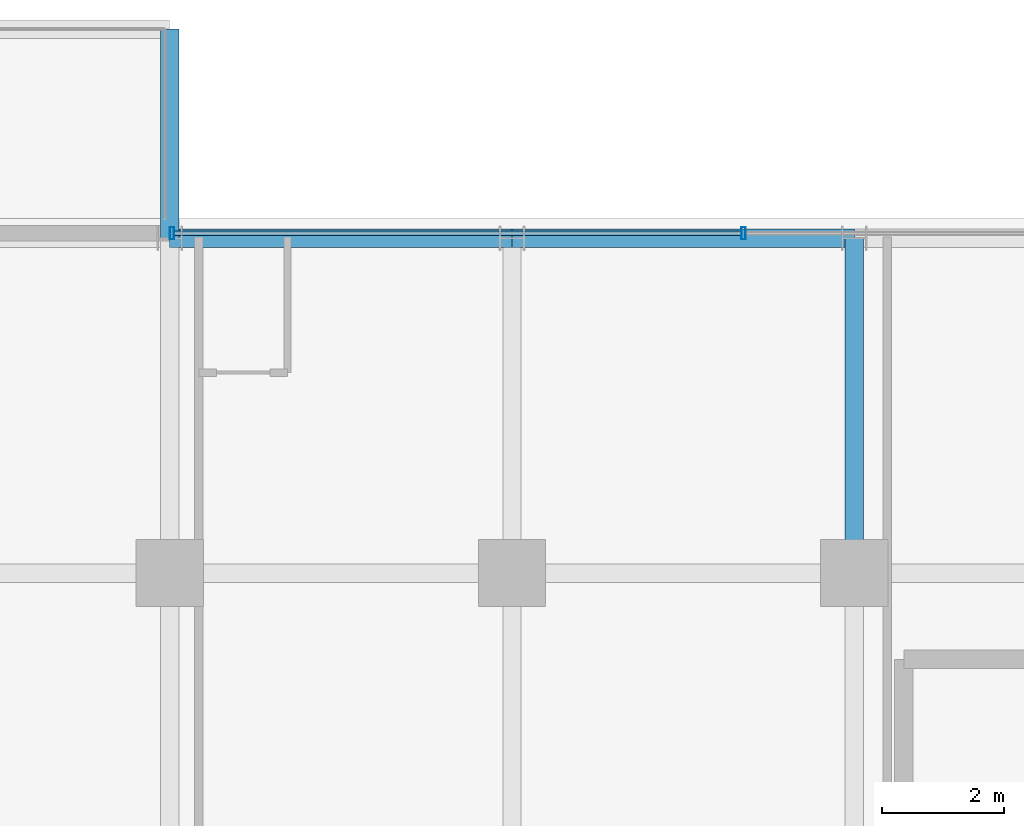
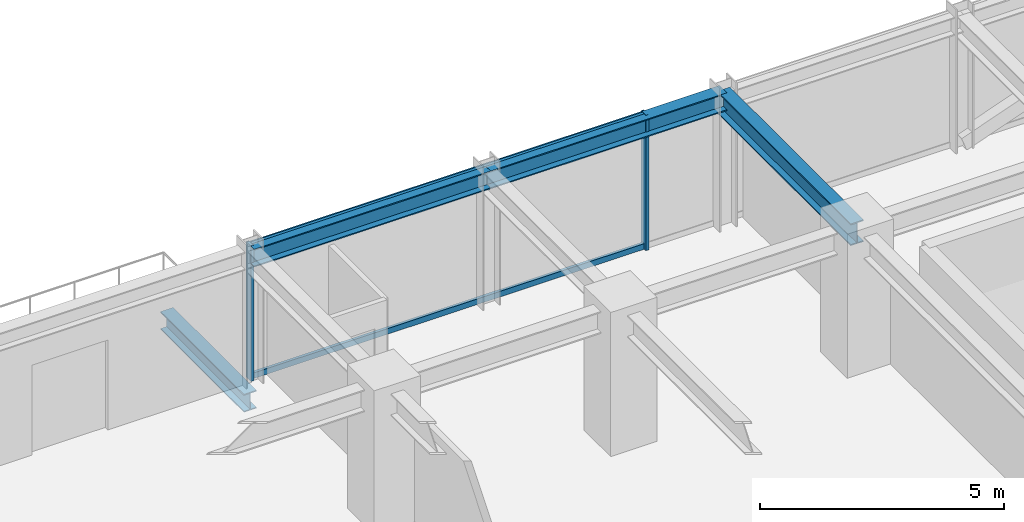
# One storey, part 25 of 37: 4 beams, 4 members, 1 element without a shape of its own.
"""IFC4 building model written with IfcOpenShell, lengths in metres."""

from ifc_helpers import new_model, si_unit, direction, frame, origin, origin_2d, place, context, subcontext, project, spatial, hollow_rectangle, i_section, extrude, source, transform, mapped, material, material_profile, profile_set, type_object, element, aggregate, save


model = new_model("IFC4")

# Units and contexts
model_context = context("Model", 3, precision=1e-05, world=origin(), true_north=direction((0.0, 1.0)))
body_context = subcontext(model_context, "Body", "Model", "MODEL_VIEW")
ifc_project = project(units=[si_unit("LENGTHUNIT", "METRE"), si_unit("AREAUNIT", "SQUARE_METRE"), si_unit("VOLUMEUNIT", "CUBIC_METRE"), si_unit("PLANEANGLEUNIT", "RADIAN"), si_unit("MASSUNIT", "GRAM", prefix="KILO")], contexts=[model_context])

# Site, building, storey
site_placement = place(None, origin())
site = spatial("IfcSite", under=ifc_project, at=site_placement, CompositionType="ELEMENT")
building_placement = place(site_placement, origin())
building = spatial("IfcBuilding", under=site, at=building_placement, Name="Nahalor Promenade Grand Hotel", CompositionType="ELEMENT")
storey_placement = place(building_placement, frame((0.0, 0.0, 167.25)))
storey = spatial("IfcBuildingStorey", under=building, at=storey_placement, Name="L42", CompositionType="ELEMENT", Elevation=167.25)

# Beams
ifc_material_1 = material(Name="Steel S355JR", Category="steel")
ifc_material_profile_1 = material_profile(ifc_material_1, i_section(OverallWidth=0.3, OverallDepth=0.45, WebThickness=0.014, FlangeThickness=0.026, at=origin_2d()), Name="HEB 450")
ifc_profile_set_1 = profile_set([ifc_material_profile_1], Name="Steel S355JR")
beam_type_1 = type_object("IfcBeamType", Name="Beam-Outrigger-HEB450", PredefinedType="BEAM", material=ifc_profile_set_1)
shared_shape_1 = source(origin(), body_context, "Body", "SweptSolid", [
    extrude(i_section(OverallWidth=0.3, OverallDepth=0.45, WebThickness=0.014, FlangeThickness=0.026, at=origin_2d()), origin(), (0.0, 0.0, 1.0), 3.419921875),
])
beam_1_placement = place(storey_placement, frame((-8.39990234375, 22.47998046875, -0.5048828125), z_axis=(0.0, 1.0, 0.0), x_axis=(-1.0, 0.0, 0.0)))
element("IfcBeam", 1, at=beam_1_placement, inside=storey, type_object=beam_type_1, Name="BM-L42-BC-01-2", PredefinedType="BEAM", context=body_context, shape_type="MappedRepresentation", body=[
    mapped(shared_shape_1, transform((0.0, 0.0, 0.0), scale=1.0)),
])
ifc_material_profile_2 = material_profile(ifc_material_1, i_section(OverallWidth=0.3, OverallDepth=0.55, WebThickness=0.015, FlangeThickness=0.029, at=origin_2d()), Name="HEB 550")
ifc_profile_set_2 = profile_set([ifc_material_profile_2], Name="Steel S355JR")
beam_type_2 = type_object("IfcBeamType", Name="Beam-Girder-HEB550", PredefinedType="BEAM", material=ifc_profile_set_2)
shared_shape_2 = source(origin(), body_context, "Body", "SweptSolid", [
    extrude(i_section(OverallWidth=0.3, OverallDepth=0.55, WebThickness=0.015, FlangeThickness=0.029, at=origin_2d()), origin(), (0.0, 0.0, 1.0), 5.47998046875),
])
beam_2_placement = place(storey_placement, frame((2.800048828125, 17.0, 3.114990234375), z_axis=(0.0, 1.0, 0.0), x_axis=(-1.0, 0.0, 0.0)))
element("IfcBeam", 2, at=beam_2_placement, inside=storey, type_object=beam_type_2, Name="BM-L42-GY-3-4", PredefinedType="BEAM", context=body_context, shape_type="MappedRepresentation", body=[
    mapped(shared_shape_2, transform((0.0, 0.0, 0.0), scale=1.0)),
])
ifc_material_profile_3 = material_profile(ifc_material_1, i_section(OverallWidth=0.3, OverallDepth=0.45, WebThickness=0.014, FlangeThickness=0.026, at=origin_2d()), Name="HEB 450")
ifc_profile_set_3 = profile_set([ifc_material_profile_3], Name="Steel S355JR")
beam_type_3 = type_object("IfcBeamType", Name="Beam-Spandrel-HEB450", PredefinedType="SPANDREL", material=ifc_profile_set_3)
shared_shape_3 = source(origin(), body_context, "Body", "SweptSolid", [
    extrude(i_section(OverallWidth=0.3, OverallDepth=0.45, WebThickness=0.014, FlangeThickness=0.026, at=origin_2d()), origin(), (0.0, 0.0, 1.0), 5.599853515625),
])
beam_3_placement = place(storey_placement, frame((-8.39990234375, 22.47998046875, 3.1650390625), z_axis=(1.0, 0.0, 0.0), x_axis=(0.0, 1.0, 0.0)))
element("IfcBeam", 3, at=beam_3_placement, inside=storey, type_object=beam_type_3, Name="BM-L42-SP-N-1", PredefinedType="SPANDREL", context=body_context, shape_type="MappedRepresentation", body=[
    mapped(shared_shape_3, transform((0.0, 0.0, 0.0), scale=1.0)),
])
shared_shape_4 = source(origin(), body_context, "Body", "SweptSolid", [
    extrude(i_section(OverallWidth=0.3, OverallDepth=0.45, WebThickness=0.014, FlangeThickness=0.026, at=origin_2d()), origin(), (0.0, 0.0, 1.0), 5.60009765625),
])
beam_4_placement = place(storey_placement, frame((-2.800048828125, 22.47998046875, 3.1650390625), z_axis=(1.0, 0.0, 0.0), x_axis=(0.0, 1.0, 0.0)))
element("IfcBeam", 4, at=beam_4_placement, inside=storey, type_object=beam_type_3, Name="BM-L42-SP-N-2", PredefinedType="SPANDREL", context=body_context, shape_type="MappedRepresentation", body=[
    mapped(shared_shape_4, transform((0.0, 0.0, 0.0), scale=1.0)),
])

# Curtain wall, members
ifc_material_2 = material(Name="Anodised Bronze Aluminium EN AW-6063 T6", Category="aluminium")
curtain_wall_type = type_object("IfcCurtainWallType", Name="CW3 Elliptical-Void Collar Unitised Curtain Wall", PredefinedType="USERDEFINED", material=ifc_material_2)
curtain_wall_placement = place(storey_placement, origin())
curtain_wall = element("IfcCurtainWall", 5, at=curtain_wall_placement, inside=storey, type_object=curtain_wall_type, Name="L42 Curtain Wall CW-L42-N-3", ObjectType="UNITISED_CURTAIN_WALL", PredefinedType="USERDEFINED")
ifc_material_profile_4 = material_profile(ifc_material_2, hollow_rectangle(XDim=0.07, YDim=0.2, WallThickness=0.005, at=origin_2d()), Name="CWM 70x200x5")
ifc_profile_set_4 = profile_set([ifc_material_profile_4], Name="Anodised Bronze Aluminium EN AW-6063 T6")
member_type_1 = type_object("IfcMemberType", Name="CWM3 Void Collar Mullion 70x200", PredefinedType="MULLION", material=ifc_profile_set_4)
shared_shape_5 = source(origin(), body_context, "Body", "SweptSolid", [
    extrude(hollow_rectangle(XDim=0.07, YDim=0.2, WallThickness=0.005, at=origin_2d()), origin(), (0.0, 0.0, 1.0), 3.389892578125),
])
member_1_placement = place(storey_placement, frame((-8.364990234375, 22.56005859375, 0.0), z_axis=(0.0, 0.0, 1.0), x_axis=(1.0, 0.0, 0.0)))
member_1 = element("IfcMember", 6, at=member_1_placement, type_object=member_type_1, Name="CW-L42-N-3 Mullion 0", PredefinedType="MULLION", context=body_context, shape_type="MappedRepresentation", body=[
    mapped(shared_shape_5, transform((0.0, 0.0, 0.0), scale=1.0)),
])
member_2_placement = place(storey_placement, frame((0.986572265625, 22.56005859375, 0.0), z_axis=(0.0, 0.0, 1.0), x_axis=(1.0, 0.0, 0.0)))
member_2 = element("IfcMember", 7, at=member_2_placement, type_object=member_type_1, Name="CW-L42-N-3 Mullion 1", PredefinedType="MULLION", context=body_context, shape_type="MappedRepresentation", body=[
    mapped(shared_shape_5, transform((0.0, 0.0, 0.0), scale=1.0)),
])
ifc_material_profile_5 = material_profile(ifc_material_2, hollow_rectangle(XDim=0.07, YDim=0.14, WallThickness=0.004, at=origin_2d()), Name="CWT 70x140x4")
ifc_profile_set_5 = profile_set([ifc_material_profile_5], Name="Anodised Bronze Aluminium EN AW-6063 T6")
member_type_2 = type_object("IfcMemberType", Name="CWT3 Void Collar Transom 70x140", PredefinedType="USERDEFINED", material=ifc_profile_set_5)
shared_shape_6 = source(origin(), body_context, "Body", "SweptSolid", [
    extrude(hollow_rectangle(XDim=0.07, YDim=0.14, WallThickness=0.004, at=origin_2d()), origin(), (0.0, 0.0, 1.0), 9.28173828125),
])
member_3_placement = place(storey_placement, frame((-8.330078125, 22.56005859375, 0.070068359375), z_axis=(1.0, 0.0, 0.0), x_axis=(0.0, 1.0, 0.0)))
member_3 = element("IfcMember", 8, at=member_3_placement, type_object=member_type_2, Name="CW-L42-N-3 Transom 0-0", ObjectType="TRANSOM", PredefinedType="USERDEFINED", context=body_context, shape_type="MappedRepresentation", body=[
    mapped(shared_shape_6, transform((0.0, 0.0, 0.0), scale=1.0)),
])
member_4_placement = place(storey_placement, frame((-8.330078125, 22.56005859375, 3.320068359375), z_axis=(1.0, 0.0, 0.0), x_axis=(0.0, 1.0, 0.0)))
member_4 = element("IfcMember", 9, at=member_4_placement, type_object=member_type_2, Name="CW-L42-N-3 Transom 0-1", ObjectType="TRANSOM", PredefinedType="USERDEFINED", context=body_context, shape_type="MappedRepresentation", body=[
    mapped(shared_shape_6, transform((0.0, 0.0, 0.0), scale=1.0)),
])
aggregate(curtain_wall, [member_1, member_2, member_3, member_4])

save(model, "model.ifc")
